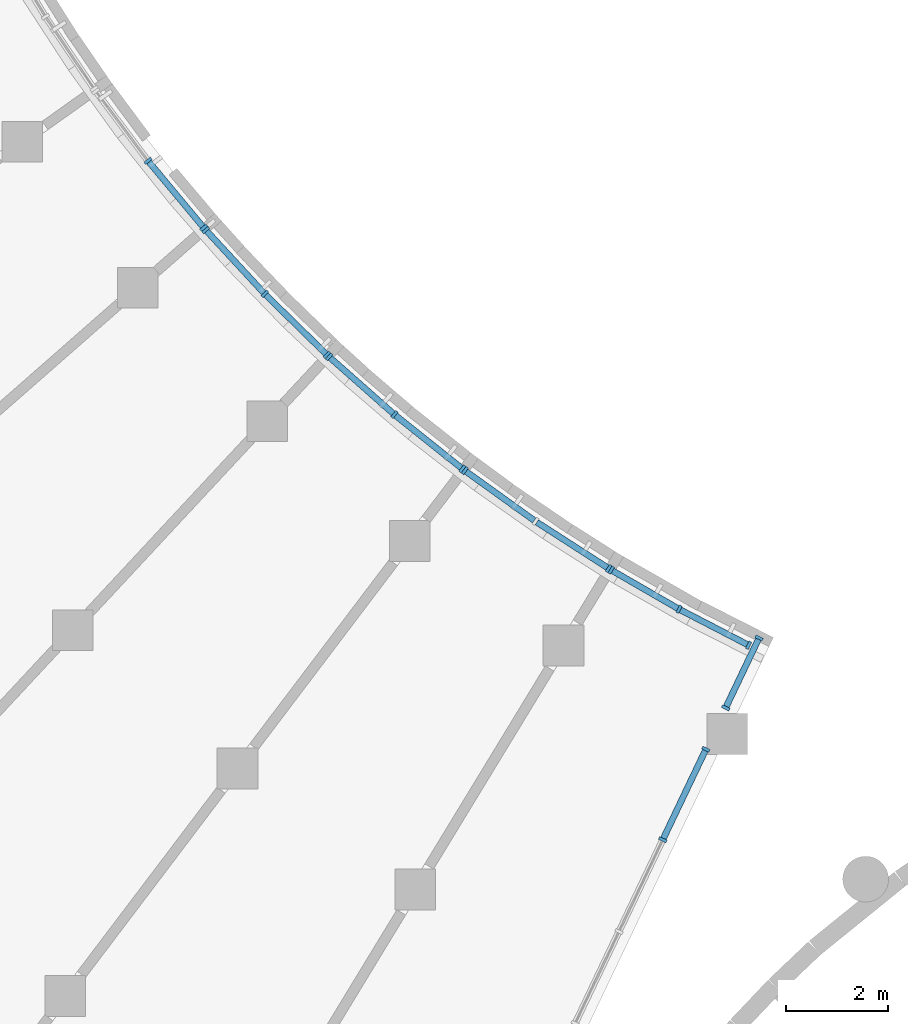
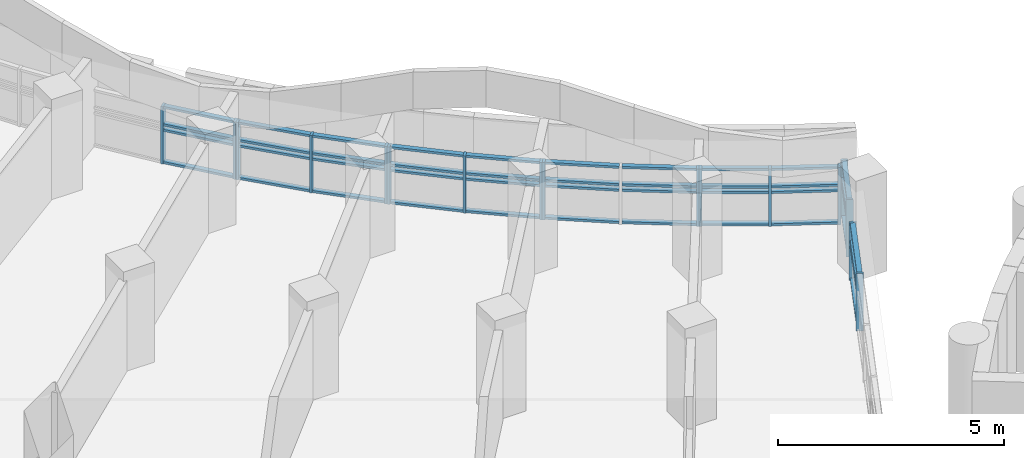
# One storey, part 16 of 89: 61 members, 7 elements without a shape of their own.
"""IFC4 building model written with IfcOpenShell, lengths in metres."""

from ifc_helpers import new_model, si_unit, direction, frame, origin, origin_2d, place, context, subcontext, project, spatial, rectangle, extrude, material, material_profile, profile_set, type_object, element, aggregate, save


model = new_model("IFC4")

# Units and contexts
model_context = context("Model", 3, precision=1e-05, world=origin(), true_north=direction((0.0, 1.0)))
body_context = subcontext(model_context, "Body", "Model", "MODEL_VIEW")
ifc_project = project(units=[si_unit("LENGTHUNIT", "METRE"), si_unit("AREAUNIT", "SQUARE_METRE"), si_unit("VOLUMEUNIT", "CUBIC_METRE"), si_unit("PLANEANGLEUNIT", "RADIAN"), si_unit("MASSUNIT", "GRAM", prefix="KILO")], contexts=[model_context])

# Site, building, storey
site_placement = place(None, origin())
site = spatial("IfcSite", under=ifc_project, at=site_placement, CompositionType="ELEMENT")
building_placement = place(site_placement, origin())
building = spatial("IfcBuilding", under=site, at=building_placement, Name="Bougainvillea Quay General Hospital", CompositionType="ELEMENT")
storey_placement = place(building_placement, frame((0.0, 0.0, 9.89990234375)))
storey = spatial("IfcBuildingStorey", under=building, at=storey_placement, Name="L01M", CompositionType="ELEMENT", Elevation=9.89990234375)

# Curtain wall, members
ifc_material_1 = material(Name="Aluminium curtain wall system, powder-coated glazed", Category="aluminium")
curtain_wall_type_1 = type_object("IfcCurtainWallType", Name="Unitised curtain wall CW-1997", PredefinedType="NOTDEFINED", material=ifc_material_1)
curtain_wall_1_placement = place(storey_placement, origin())
curtain_wall_1 = element("IfcCurtainWall", 1, at=curtain_wall_1_placement, inside=storey, type_object=curtain_wall_type_1, Name="CW-AE 02", PredefinedType="NOTDEFINED")
ifc_material_2 = material(Name="Aluminium mullion, powder-coated charcoal", Category="aluminium")
ifc_material_profile_1 = material_profile(ifc_material_2, rectangle(XDim=0.159912109375, YDim=0.06005859375, at=origin_2d()))
ifc_profile_set_1 = profile_set([ifc_material_profile_1], Name="Aluminium mullion, powder-coated charcoal")
member_type_1 = type_object("IfcMemberType", Name="Curtain wall mullion 160x60", PredefinedType="MULLION", material=ifc_profile_set_1)
member_1_placement = place(storey_placement, frame((92.436279296875, 91.433837890625, 0.0), z_axis=(0.0, 0.0, 1.0), x_axis=(-0.902578440897, 0.430525444112, 0.0)))
member_1 = element("IfcMember", 2, at=member_1_placement, type_object=member_type_1, Name="CW-AE mullion 10", PredefinedType="MULLION", context=body_context, shape_type="SweptSolid", body=[
    extrude(rectangle(XDim=0.159912109375, YDim=0.06005859375, at=origin_2d()), origin(), (0.0, 0.0, 1.0), 1.550048828125),
])
member_2_placement = place(storey_placement, frame((93.28271484375, 93.20849609375, 0.0), z_axis=(0.0, 0.0, 1.0), x_axis=(-0.902578440897, 0.430525444112, 0.0)))
member_2 = element("IfcMember", 3, at=member_2_placement, type_object=member_type_1, Name="CW-AE mullion 11", PredefinedType="MULLION", context=body_context, shape_type="SweptSolid", body=[
    extrude(rectangle(XDim=0.159912109375, YDim=0.06005859375, at=origin_2d()), origin(), (0.0, 0.0, 1.0), 1.550048828125),
])

curtain_wall_type_2 = type_object("IfcCurtainWallType", Name="Unitised curtain wall CW-1580", PredefinedType="NOTDEFINED", material=ifc_material_1)
curtain_wall_2_placement = place(storey_placement, origin())
curtain_wall_2 = element("IfcCurtainWall", 4, at=curtain_wall_2_placement, inside=storey, type_object=curtain_wall_type_2, Name="CW-AE 03", PredefinedType="NOTDEFINED")
member_3_placement = place(storey_placement, frame((93.670166015625, 94.020751953125, 0.0), z_axis=(0.0, 0.0, 1.0), x_axis=(-0.902578440897, 0.430525444112, 0.0)))
member_3 = element("IfcMember", 5, at=member_3_placement, type_object=member_type_1, Name="CW-AE mullion 1", PredefinedType="MULLION", context=body_context, shape_type="SweptSolid", body=[
    extrude(rectangle(XDim=0.159912109375, YDim=0.06005859375, at=origin_2d()), origin(), (0.0, 0.0, 1.0), 1.550048828125),
])
member_4_placement = place(storey_placement, frame((94.324462890625, 95.392578125, 0.0), z_axis=(0.0, 0.0, 1.0), x_axis=(-0.902578440897, 0.430525444112, 0.0)))
member_4 = element("IfcMember", 6, at=member_4_placement, type_object=member_type_1, Name="CW-AE mullion 2", PredefinedType="MULLION", context=body_context, shape_type="SweptSolid", body=[
    extrude(rectangle(XDim=0.159912109375, YDim=0.06005859375, at=origin_2d()), origin(), (0.0, 0.0, 1.0), 1.550048828125),
])

curtain_wall_type_3 = type_object("IfcCurtainWallType", Name="Unitised curtain wall CW-2100", PredefinedType="NOTDEFINED", material=ifc_material_1)
curtain_wall_3_placement = place(storey_placement, origin())
curtain_wall_3 = element("IfcCurtainWall", 7, at=curtain_wall_3_placement, inside=storey, type_object=curtain_wall_type_3, Name="CW-W01 a03b0", PredefinedType="NOTDEFINED")
member_5_placement = place(storey_placement, frame((94.120361328125, 95.2490234375, 0.0), z_axis=(0.0, 0.0, 1.0), x_axis=(-0.459924477228, -0.887958036873, 0.0)))
member_5 = element("IfcMember", 8, at=member_5_placement, type_object=member_type_1, Name="CW-W01 mullion 1", PredefinedType="MULLION", context=body_context, shape_type="SweptSolid", body=[
    extrude(rectangle(XDim=0.159912109375, YDim=0.06005859375, at=origin_2d()), origin(), (0.0, 0.0, 1.0), 1.550048828125),
])
member_6_placement = place(storey_placement, frame((92.756591796875, 95.95556640625, 0.0), z_axis=(0.0, 0.0, 1.0), x_axis=(-0.480103411147, -0.877211898349, 0.0)))
member_6 = element("IfcMember", 9, at=member_6_placement, type_object=member_type_1, Name="CW-W01 mullion 2", PredefinedType="MULLION", context=body_context, shape_type="SweptSolid", body=[
    extrude(rectangle(XDim=0.159912109375, YDim=0.06005859375, at=origin_2d()), origin(), (0.0, 0.0, 1.0), 1.550048828125),
])
member_7_placement = place(storey_placement, frame((91.42626953125, 96.7236328125, 0.0), z_axis=(0.0, 0.0, 1.0), x_axis=(-0.50003140996, -0.866007268476, 0.0)))
member_7 = element("IfcMember", 10, at=member_7_placement, type_object=member_type_1, Name="CW-W01 mullion 3", PredefinedType="MULLION", context=body_context, shape_type="SweptSolid", body=[
    extrude(rectangle(XDim=0.159912109375, YDim=0.06005859375, at=origin_2d()), origin(), (0.0, 0.0, 1.0), 1.550048828125),
])

curtain_wall_4_placement = place(storey_placement, origin())
curtain_wall_4 = element("IfcCurtainWall", 11, at=curtain_wall_4_placement, inside=storey, type_object=curtain_wall_type_3, Name="CW-W02 a03b1", PredefinedType="NOTDEFINED")
member_8_placement = place(storey_placement, frame((91.375244140625, 96.7548828125, 0.0), z_axis=(0.0, 0.0, 1.0), x_axis=(-0.541194636325, -0.840897357359, 0.0)))
member_8 = element("IfcMember", 12, at=member_8_placement, type_object=member_type_1, Name="CW-W02 mullion 1", PredefinedType="MULLION", context=body_context, shape_type="SweptSolid", body=[
    extrude(rectangle(XDim=0.159912109375, YDim=0.06005859375, at=origin_2d()), origin(), (0.0, 0.0, 1.0), 1.550048828125),
])
member_9_placement = place(storey_placement, frame((88.552978515625, 98.674072265625, 0.0), z_axis=(0.0, 0.0, 1.0), x_axis=(-0.583130104218, -0.812378779606, 0.0)))
member_9 = element("IfcMember", 13, at=member_9_placement, type_object=member_type_1, Name="CW-W02 mullion 3", PredefinedType="MULLION", context=body_context, shape_type="SweptSolid", body=[
    extrude(rectangle(XDim=0.159912109375, YDim=0.06005859375, at=origin_2d()), origin(), (0.0, 0.0, 1.0), 1.550048828125),
])

curtain_wall_5_placement = place(storey_placement, origin())
curtain_wall_5 = element("IfcCurtainWall", 14, at=curtain_wall_5_placement, inside=storey, type_object=curtain_wall_type_3, Name="CW-W03 a03b2", PredefinedType="NOTDEFINED")
member_10_placement = place(storey_placement, frame((88.50537109375, 98.710205078125, 0.0), z_axis=(0.0, 0.0, 1.0), x_axis=(-0.623565824026, -0.781770850765, 0.0)))
member_10 = element("IfcMember", 15, at=member_10_placement, type_object=member_type_1, Name="CW-W03 mullion 1", PredefinedType="MULLION", context=body_context, shape_type="SweptSolid", body=[
    extrude(rectangle(XDim=0.159912109375, YDim=0.06005859375, at=origin_2d()), origin(), (0.0, 0.0, 1.0), 1.550048828125),
])
member_11_placement = place(storey_placement, frame((87.1708984375, 99.774658203125, 0.0), z_axis=(0.0, 0.0, 1.0), x_axis=(-0.643188621489, -0.765707775321, 0.0)))
member_11 = element("IfcMember", 16, at=member_11_placement, type_object=member_type_1, Name="CW-W03 mullion 2", PredefinedType="MULLION", context=body_context, shape_type="SweptSolid", body=[
    extrude(rectangle(XDim=0.159912109375, YDim=0.06005859375, at=origin_2d()), origin(), (0.0, 0.0, 1.0), 1.550048828125),
])
member_12_placement = place(storey_placement, frame((85.89208984375, 100.9052734375, 0.0), z_axis=(0.0, 0.0, 1.0), x_axis=(-0.662397799417, -0.749152291145, 0.0)))
member_12 = element("IfcMember", 17, at=member_12_placement, type_object=member_type_1, Name="CW-W03 mullion 3", PredefinedType="MULLION", context=body_context, shape_type="SweptSolid", body=[
    extrude(rectangle(XDim=0.159912109375, YDim=0.06005859375, at=origin_2d()), origin(), (0.0, 0.0, 1.0), 1.550048828125),
])

curtain_wall_6_placement = place(storey_placement, origin())
curtain_wall_6 = element("IfcCurtainWall", 18, at=curtain_wall_6_placement, inside=storey, type_object=curtain_wall_type_3, Name="CW-W04 a03b3", PredefinedType="NOTDEFINED")
member_13_placement = place(storey_placement, frame((85.84814453125, 100.946044921875, 0.0), z_axis=(0.0, 0.0, 1.0), x_axis=(-0.699526158712, -0.714606992183, 0.0)))
member_13 = element("IfcMember", 19, at=member_13_placement, type_object=member_type_1, Name="CW-W04 mullion 1", PredefinedType="MULLION", context=body_context, shape_type="SweptSolid", body=[
    extrude(rectangle(XDim=0.159912109375, YDim=0.06005859375, at=origin_2d()), origin(), (0.0, 0.0, 1.0), 1.550048828125),
])
member_14_placement = place(storey_placement, frame((84.62841796875, 102.14013671875, 0.0), z_axis=(0.0, 0.0, 1.0), x_axis=(-0.717421463702, -0.69663939267, 0.0)))
member_14 = element("IfcMember", 20, at=member_14_placement, type_object=member_type_1, Name="CW-W04 mullion 2", PredefinedType="MULLION", context=body_context, shape_type="SweptSolid", body=[
    extrude(rectangle(XDim=0.159912109375, YDim=0.06005859375, at=origin_2d()), origin(), (0.0, 0.0, 1.0), 1.550048828125),
])
member_15_placement = place(storey_placement, frame((83.470703125, 103.39453125, 0.0), z_axis=(0.0, 0.0, 1.0), x_axis=(-0.734855411756, -0.678223800683, 0.0)))
member_15 = element("IfcMember", 21, at=member_15_placement, type_object=member_type_1, Name="CW-W04 mullion 3", PredefinedType="MULLION", context=body_context, shape_type="SweptSolid", body=[
    extrude(rectangle(XDim=0.159912109375, YDim=0.06005859375, at=origin_2d()), origin(), (0.0, 0.0, 1.0), 1.550048828125),
])

curtain_wall_7_placement = place(storey_placement, origin())
curtain_wall_7 = element("IfcCurtainWall", 22, at=curtain_wall_7_placement, inside=storey, type_object=curtain_wall_type_3, Name="CW-W05 a03b4", PredefinedType="NOTDEFINED")
member_16_placement = place(storey_placement, frame((83.43115234375, 103.439697265625, 0.0), z_axis=(0.0, 0.0, 1.0), x_axis=(-0.768294695498, -0.64009629031, 0.0)))
member_16 = element("IfcMember", 23, at=member_16_placement, type_object=member_type_1, Name="CW-W05 mullion 1", PredefinedType="MULLION", context=body_context, shape_type="SweptSolid", body=[
    extrude(rectangle(XDim=0.159912109375, YDim=0.06005859375, at=origin_2d()), origin(), (0.0, 0.0, 1.0), 1.550048828125),
])
member_17_placement = place(storey_placement, frame((82.338623046875, 104.7509765625, 0.0), z_axis=(0.0, 0.0, 1.0), x_axis=(-0.784278527167, -0.620408890833, 0.0)))
member_17 = element("IfcMember", 24, at=member_17_placement, type_object=member_type_1, Name="CW-W05 mullion 2", PredefinedType="MULLION", context=body_context, shape_type="SweptSolid", body=[
    extrude(rectangle(XDim=0.159912109375, YDim=0.06005859375, at=origin_2d()), origin(), (0.0, 0.0, 1.0), 1.550048828125),
])

# Member
ifc_material_3 = material(Name="Aluminium transom, powder-coated charcoal", Category="aluminium")
ifc_material_profile_2 = material_profile(ifc_material_3, rectangle(XDim=0.1201171875, YDim=0.06005859375, at=origin_2d()))
ifc_profile_set_2 = profile_set([ifc_material_profile_2], Name="Aluminium transom, powder-coated charcoal")
member_type_2 = type_object("IfcMemberType", Name="Curtain wall transom 120x60", PredefinedType="USERDEFINED", material=ifc_profile_set_2)
member_18_placement = place(storey_placement, frame((92.44921875, 91.4609375, 0.030029296875), z_axis=(0.430485367667, 0.90259755607, 0.0), x_axis=(-0.90259755607, 0.430485367667, 0.0)))
member_18 = element("IfcMember", 25, at=member_18_placement, type_object=member_type_2, Name="CW-AE transom 10.1", ObjectType="TRANSOM", PredefinedType="USERDEFINED", context=body_context, shape_type="SweptSolid", body=[
    extrude(rectangle(XDim=0.1201171875, YDim=0.06005859375, at=origin_2d()), origin(), (0.0, 0.0, 1.0), 1.906005859375),
])

member_19_placement = place(storey_placement, frame((92.44921875, 91.4609375, 0.900146484375), z_axis=(0.430485367667, 0.90259755607, 0.0), x_axis=(-0.90259755607, 0.430485367667, 0.0)))
member_19 = element("IfcMember", 26, at=member_19_placement, type_object=member_type_2, Name="CW-AE transom 10.2", ObjectType="TRANSOM", PredefinedType="USERDEFINED", context=body_context, shape_type="SweptSolid", body=[
    extrude(rectangle(XDim=0.1201171875, YDim=0.06005859375, at=origin_2d()), origin(), (0.0, 0.0, 1.0), 1.906005859375),
])

member_20_placement = place(storey_placement, frame((92.44921875, 91.4609375, 1.050048828125), z_axis=(0.430485367667, 0.90259755607, 0.0), x_axis=(-0.90259755607, 0.430485367667, 0.0)))
member_20 = element("IfcMember", 27, at=member_20_placement, type_object=member_type_2, Name="CW-AE transom 10.3", ObjectType="TRANSOM", PredefinedType="USERDEFINED", context=body_context, shape_type="SweptSolid", body=[
    extrude(rectangle(XDim=0.1201171875, YDim=0.06005859375, at=origin_2d()), origin(), (0.0, 0.0, 1.0), 1.906005859375),
])

member_21_placement = place(storey_placement, frame((92.44921875, 91.4609375, 1.52001953125), z_axis=(0.430485367667, 0.90259755607, 0.0), x_axis=(-0.90259755607, 0.430485367667, 0.0)))
member_21 = element("IfcMember", 28, at=member_21_placement, type_object=member_type_2, Name="CW-AE transom 10.4", ObjectType="TRANSOM", PredefinedType="USERDEFINED", context=body_context, shape_type="SweptSolid", body=[
    extrude(rectangle(XDim=0.1201171875, YDim=0.06005859375, at=origin_2d()), origin(), (0.0, 0.0, 1.0), 1.906005859375),
])

aggregate(curtain_wall_1, [member_1, member_2, member_18, member_19, member_20, member_21])

member_22_placement = place(storey_placement, frame((93.68310546875, 94.0478515625, 0.030029296875), z_axis=(0.430478813346, 0.902600682063, 0.0), x_axis=(-0.902600682063, 0.430478813346, 0.0)))
member_22 = element("IfcMember", 29, at=member_22_placement, type_object=member_type_2, Name="CW-AE transom 1.1", ObjectType="TRANSOM", PredefinedType="USERDEFINED", context=body_context, shape_type="SweptSolid", body=[
    extrude(rectangle(XDim=0.1201171875, YDim=0.06005859375, at=origin_2d()), origin(), (0.0, 0.0, 1.0), 1.459716796875),
])

member_23_placement = place(storey_placement, frame((93.68310546875, 94.0478515625, 0.900146484375), z_axis=(0.430478813346, 0.902600682063, 0.0), x_axis=(-0.902600682063, 0.430478813346, 0.0)))
member_23 = element("IfcMember", 30, at=member_23_placement, type_object=member_type_2, Name="CW-AE transom 1.2", ObjectType="TRANSOM", PredefinedType="USERDEFINED", context=body_context, shape_type="SweptSolid", body=[
    extrude(rectangle(XDim=0.1201171875, YDim=0.06005859375, at=origin_2d()), origin(), (0.0, 0.0, 1.0), 1.459716796875),
])

member_24_placement = place(storey_placement, frame((93.68310546875, 94.0478515625, 1.050048828125), z_axis=(0.430478813346, 0.902600682063, 0.0), x_axis=(-0.902600682063, 0.430478813346, 0.0)))
member_24 = element("IfcMember", 31, at=member_24_placement, type_object=member_type_2, Name="CW-AE transom 1.3", ObjectType="TRANSOM", PredefinedType="USERDEFINED", context=body_context, shape_type="SweptSolid", body=[
    extrude(rectangle(XDim=0.1201171875, YDim=0.06005859375, at=origin_2d()), origin(), (0.0, 0.0, 1.0), 1.459716796875),
])

member_25_placement = place(storey_placement, frame((93.68310546875, 94.0478515625, 1.52001953125), z_axis=(0.430478813346, 0.902600682063, 0.0), x_axis=(-0.902600682063, 0.430478813346, 0.0)))
member_25 = element("IfcMember", 32, at=member_25_placement, type_object=member_type_2, Name="CW-AE transom 1.4", ObjectType="TRANSOM", PredefinedType="USERDEFINED", context=body_context, shape_type="SweptSolid", body=[
    extrude(rectangle(XDim=0.1201171875, YDim=0.06005859375, at=origin_2d()), origin(), (0.0, 0.0, 1.0), 1.459716796875),
])

aggregate(curtain_wall_2, [member_3, member_4, member_22, member_23, member_24, member_25])

member_26_placement = place(storey_placement, frame((94.09375, 95.262939453125, 0.030029296875), z_axis=(-0.887984759124, 0.459872881961, 0.0), x_axis=(-0.459872881961, -0.887984759124, 0.0)))
member_26 = element("IfcMember", 33, at=member_26_placement, type_object=member_type_2, Name="CW-W01 transom 1.1", ObjectType="TRANSOM", PredefinedType="USERDEFINED", context=body_context, shape_type="SweptSolid", body=[
    extrude(rectangle(XDim=0.1201171875, YDim=0.06005859375, at=origin_2d()), origin(), (0.0, 0.0, 1.0), 1.475830078125),
])

member_27_placement = place(storey_placement, frame((94.09375, 95.262939453125, 0.900146484375), z_axis=(-0.887984759124, 0.459872881961, 0.0), x_axis=(-0.459872881961, -0.887984759124, 0.0)))
member_27 = element("IfcMember", 34, at=member_27_placement, type_object=member_type_2, Name="CW-W01 transom 1.2", ObjectType="TRANSOM", PredefinedType="USERDEFINED", context=body_context, shape_type="SweptSolid", body=[
    extrude(rectangle(XDim=0.1201171875, YDim=0.06005859375, at=origin_2d()), origin(), (0.0, 0.0, 1.0), 1.475830078125),
])

member_28_placement = place(storey_placement, frame((94.09375, 95.262939453125, 1.050048828125), z_axis=(-0.887984759124, 0.459872881961, 0.0), x_axis=(-0.459872881961, -0.887984759124, 0.0)))
member_28 = element("IfcMember", 35, at=member_28_placement, type_object=member_type_2, Name="CW-W01 transom 1.3", ObjectType="TRANSOM", PredefinedType="USERDEFINED", context=body_context, shape_type="SweptSolid", body=[
    extrude(rectangle(XDim=0.1201171875, YDim=0.06005859375, at=origin_2d()), origin(), (0.0, 0.0, 1.0), 1.475830078125),
])

member_29_placement = place(storey_placement, frame((94.09375, 95.262939453125, 1.52001953125), z_axis=(-0.887984759124, 0.459872881961, 0.0), x_axis=(-0.459872881961, -0.887984759124, 0.0)))
member_29 = element("IfcMember", 36, at=member_29_placement, type_object=member_type_2, Name="CW-W01 transom 1.4", ObjectType="TRANSOM", PredefinedType="USERDEFINED", context=body_context, shape_type="SweptSolid", body=[
    extrude(rectangle(XDim=0.1201171875, YDim=0.06005859375, at=origin_2d()), origin(), (0.0, 0.0, 1.0), 1.475830078125),
])

member_30_placement = place(storey_placement, frame((92.73046875, 95.970458984375, 0.030029296875), z_axis=(-0.865984475827, 0.500070882603, 0.0), x_axis=(-0.500070882603, -0.865984475827, 0.0)))
member_30 = element("IfcMember", 37, at=member_30_placement, type_object=member_type_2, Name="CW-W01 transom 2.1", ObjectType="TRANSOM", PredefinedType="USERDEFINED", context=body_context, shape_type="SweptSolid", body=[
    extrude(rectangle(XDim=0.1201171875, YDim=0.06005859375, at=origin_2d()), origin(), (0.0, 0.0, 1.0), 1.475830078125),
])

member_31_placement = place(storey_placement, frame((92.73046875, 95.970458984375, 0.900146484375), z_axis=(-0.865984475827, 0.500070882603, 0.0), x_axis=(-0.500070882603, -0.865984475827, 0.0)))
member_31 = element("IfcMember", 38, at=member_31_placement, type_object=member_type_2, Name="CW-W01 transom 2.2", ObjectType="TRANSOM", PredefinedType="USERDEFINED", context=body_context, shape_type="SweptSolid", body=[
    extrude(rectangle(XDim=0.1201171875, YDim=0.06005859375, at=origin_2d()), origin(), (0.0, 0.0, 1.0), 1.475830078125),
])

member_32_placement = place(storey_placement, frame((92.73046875, 95.970458984375, 1.050048828125), z_axis=(-0.865984475827, 0.500070882603, 0.0), x_axis=(-0.500070882603, -0.865984475827, 0.0)))
member_32 = element("IfcMember", 39, at=member_32_placement, type_object=member_type_2, Name="CW-W01 transom 2.3", ObjectType="TRANSOM", PredefinedType="USERDEFINED", context=body_context, shape_type="SweptSolid", body=[
    extrude(rectangle(XDim=0.1201171875, YDim=0.06005859375, at=origin_2d()), origin(), (0.0, 0.0, 1.0), 1.475830078125),
])

member_33_placement = place(storey_placement, frame((92.73046875, 95.970458984375, 1.52001953125), z_axis=(-0.865984475827, 0.500070882603, 0.0), x_axis=(-0.500070882603, -0.865984475827, 0.0)))
member_33 = element("IfcMember", 40, at=member_33_placement, type_object=member_type_2, Name="CW-W01 transom 2.4", ObjectType="TRANSOM", PredefinedType="USERDEFINED", context=body_context, shape_type="SweptSolid", body=[
    extrude(rectangle(XDim=0.1201171875, YDim=0.06005859375, at=origin_2d()), origin(), (0.0, 0.0, 1.0), 1.475830078125),
])

aggregate(curtain_wall_3, [member_5, member_6, member_7, member_26, member_27, member_28, member_29, member_30, member_31, member_32, member_33])

member_34_placement = place(storey_placement, frame((91.349853515625, 96.77099609375, 0.030029296875), z_axis=(-0.840860427207, 0.541252013352, 0.0), x_axis=(-0.541252013352, -0.840860427207, 0.0)))
member_34 = element("IfcMember", 41, at=member_34_placement, type_object=member_type_2, Name="CW-W02 transom 1.1", ObjectType="TRANSOM", PredefinedType="USERDEFINED", context=body_context, shape_type="SweptSolid", body=[
    extrude(rectangle(XDim=0.1201171875, YDim=0.06005859375, at=origin_2d()), origin(), (0.0, 0.0, 1.0), 1.646728515625),
])

member_35_placement = place(storey_placement, frame((91.349853515625, 96.77099609375, 0.900146484375), z_axis=(-0.840860427207, 0.541252013352, 0.0), x_axis=(-0.541252013352, -0.840860427207, 0.0)))
member_35 = element("IfcMember", 42, at=member_35_placement, type_object=member_type_2, Name="CW-W02 transom 1.2", ObjectType="TRANSOM", PredefinedType="USERDEFINED", context=body_context, shape_type="SweptSolid", body=[
    extrude(rectangle(XDim=0.1201171875, YDim=0.06005859375, at=origin_2d()), origin(), (0.0, 0.0, 1.0), 1.646728515625),
])

member_36_placement = place(storey_placement, frame((91.349853515625, 96.77099609375, 1.050048828125), z_axis=(-0.840860427207, 0.541252013352, 0.0), x_axis=(-0.541252013352, -0.840860427207, 0.0)))
member_36 = element("IfcMember", 43, at=member_36_placement, type_object=member_type_2, Name="CW-W02 transom 1.3", ObjectType="TRANSOM", PredefinedType="USERDEFINED", context=body_context, shape_type="SweptSolid", body=[
    extrude(rectangle(XDim=0.1201171875, YDim=0.06005859375, at=origin_2d()), origin(), (0.0, 0.0, 1.0), 1.646728515625),
])

member_37_placement = place(storey_placement, frame((91.349853515625, 96.77099609375, 1.52001953125), z_axis=(-0.840860427207, 0.541252013352, 0.0), x_axis=(-0.541252013352, -0.840860427207, 0.0)))
member_37 = element("IfcMember", 44, at=member_37_placement, type_object=member_type_2, Name="CW-W02 transom 1.4", ObjectType="TRANSOM", PredefinedType="USERDEFINED", context=body_context, shape_type="SweptSolid", body=[
    extrude(rectangle(XDim=0.1201171875, YDim=0.06005859375, at=origin_2d()), origin(), (0.0, 0.0, 1.0), 1.646728515625),
])

member_38_placement = place(storey_placement, frame((89.91552734375, 97.696044921875, 0.030029296875), z_axis=(-0.812399348414, 0.583101448032, 0.0), x_axis=(-0.583101448032, -0.812399348414, 0.0)))
member_38 = element("IfcMember", 45, at=member_38_placement, type_object=member_type_2, Name="CW-W02 transom 2.1", ObjectType="TRANSOM", PredefinedType="USERDEFINED", context=body_context, shape_type="SweptSolid", body=[
    extrude(rectangle(XDim=0.1201171875, YDim=0.06005859375, at=origin_2d()), origin(), (0.0, 0.0, 1.0), 1.647216796875),
])

member_39_placement = place(storey_placement, frame((89.91552734375, 97.696044921875, 0.900146484375), z_axis=(-0.812399348414, 0.583101448032, 0.0), x_axis=(-0.583101448032, -0.812399348414, 0.0)))
member_39 = element("IfcMember", 46, at=member_39_placement, type_object=member_type_2, Name="CW-W02 transom 2.2", ObjectType="TRANSOM", PredefinedType="USERDEFINED", context=body_context, shape_type="SweptSolid", body=[
    extrude(rectangle(XDim=0.1201171875, YDim=0.06005859375, at=origin_2d()), origin(), (0.0, 0.0, 1.0), 1.647216796875),
])

member_40_placement = place(storey_placement, frame((89.91552734375, 97.696044921875, 1.050048828125), z_axis=(-0.812399348414, 0.583101448032, 0.0), x_axis=(-0.583101448032, -0.812399348414, 0.0)))
member_40 = element("IfcMember", 47, at=member_40_placement, type_object=member_type_2, Name="CW-W02 transom 2.3", ObjectType="TRANSOM", PredefinedType="USERDEFINED", context=body_context, shape_type="SweptSolid", body=[
    extrude(rectangle(XDim=0.1201171875, YDim=0.06005859375, at=origin_2d()), origin(), (0.0, 0.0, 1.0), 1.647216796875),
])

member_41_placement = place(storey_placement, frame((89.91552734375, 97.696044921875, 1.52001953125), z_axis=(-0.812399348414, 0.583101448032, 0.0), x_axis=(-0.583101448032, -0.812399348414, 0.0)))
member_41 = element("IfcMember", 48, at=member_41_placement, type_object=member_type_2, Name="CW-W02 transom 2.4", ObjectType="TRANSOM", PredefinedType="USERDEFINED", context=body_context, shape_type="SweptSolid", body=[
    extrude(rectangle(XDim=0.1201171875, YDim=0.06005859375, at=origin_2d()), origin(), (0.0, 0.0, 1.0), 1.647216796875),
])

aggregate(curtain_wall_4, [member_8, member_9, member_34, member_35, member_36, member_37, member_38, member_39, member_40, member_41])

member_42_placement = place(storey_placement, frame((88.48193359375, 98.728759765625, 0.030029296875), z_axis=(-0.781750163409, 0.623591759094, 0.0), x_axis=(-0.623591759094, -0.781750163409, 0.0)))
member_42 = element("IfcMember", 49, at=member_42_placement, type_object=member_type_2, Name="CW-W03 transom 1.1", ObjectType="TRANSOM", PredefinedType="USERDEFINED", context=body_context, shape_type="SweptSolid", body=[
    extrude(rectangle(XDim=0.1201171875, YDim=0.06005859375, at=origin_2d()), origin(), (0.0, 0.0, 1.0), 1.64697265625),
])

member_43_placement = place(storey_placement, frame((88.48193359375, 98.728759765625, 0.900146484375), z_axis=(-0.781750163409, 0.623591759094, 0.0), x_axis=(-0.623591759094, -0.781750163409, 0.0)))
member_43 = element("IfcMember", 50, at=member_43_placement, type_object=member_type_2, Name="CW-W03 transom 1.2", ObjectType="TRANSOM", PredefinedType="USERDEFINED", context=body_context, shape_type="SweptSolid", body=[
    extrude(rectangle(XDim=0.1201171875, YDim=0.06005859375, at=origin_2d()), origin(), (0.0, 0.0, 1.0), 1.64697265625),
])

member_44_placement = place(storey_placement, frame((88.48193359375, 98.728759765625, 1.050048828125), z_axis=(-0.781750163409, 0.623591759094, 0.0), x_axis=(-0.623591759094, -0.781750163409, 0.0)))
member_44 = element("IfcMember", 51, at=member_44_placement, type_object=member_type_2, Name="CW-W03 transom 1.3", ObjectType="TRANSOM", PredefinedType="USERDEFINED", context=body_context, shape_type="SweptSolid", body=[
    extrude(rectangle(XDim=0.1201171875, YDim=0.06005859375, at=origin_2d()), origin(), (0.0, 0.0, 1.0), 1.64697265625),
])

member_45_placement = place(storey_placement, frame((88.48193359375, 98.728759765625, 1.52001953125), z_axis=(-0.781750163409, 0.623591759094, 0.0), x_axis=(-0.623591759094, -0.781750163409, 0.0)))
member_45 = element("IfcMember", 52, at=member_45_placement, type_object=member_type_2, Name="CW-W03 transom 1.4", ObjectType="TRANSOM", PredefinedType="USERDEFINED", context=body_context, shape_type="SweptSolid", body=[
    extrude(rectangle(XDim=0.1201171875, YDim=0.06005859375, at=origin_2d()), origin(), (0.0, 0.0, 1.0), 1.64697265625),
])

member_46_placement = place(storey_placement, frame((87.1484375, 99.79443359375, 0.030029296875), z_axis=(-0.749205906667, 0.662337156903, 0.0), x_axis=(-0.662337156903, -0.749205906667, 0.0)))
member_46 = element("IfcMember", 53, at=member_46_placement, type_object=member_type_2, Name="CW-W03 transom 2.1", ObjectType="TRANSOM", PredefinedType="USERDEFINED", context=body_context, shape_type="SweptSolid", body=[
    extrude(rectangle(XDim=0.1201171875, YDim=0.06005859375, at=origin_2d()), origin(), (0.0, 0.0, 1.0), 1.64697265625),
])

member_47_placement = place(storey_placement, frame((87.1484375, 99.79443359375, 0.900146484375), z_axis=(-0.749205906667, 0.662337156903, 0.0), x_axis=(-0.662337156903, -0.749205906667, 0.0)))
member_47 = element("IfcMember", 54, at=member_47_placement, type_object=member_type_2, Name="CW-W03 transom 2.2", ObjectType="TRANSOM", PredefinedType="USERDEFINED", context=body_context, shape_type="SweptSolid", body=[
    extrude(rectangle(XDim=0.1201171875, YDim=0.06005859375, at=origin_2d()), origin(), (0.0, 0.0, 1.0), 1.64697265625),
])

member_48_placement = place(storey_placement, frame((87.1484375, 99.79443359375, 1.050048828125), z_axis=(-0.749205906667, 0.662337156903, 0.0), x_axis=(-0.662337156903, -0.749205906667, 0.0)))
member_48 = element("IfcMember", 55, at=member_48_placement, type_object=member_type_2, Name="CW-W03 transom 2.3", ObjectType="TRANSOM", PredefinedType="USERDEFINED", context=body_context, shape_type="SweptSolid", body=[
    extrude(rectangle(XDim=0.1201171875, YDim=0.06005859375, at=origin_2d()), origin(), (0.0, 0.0, 1.0), 1.64697265625),
])

member_49_placement = place(storey_placement, frame((87.1484375, 99.79443359375, 1.52001953125), z_axis=(-0.749205906667, 0.662337156903, 0.0), x_axis=(-0.662337156903, -0.749205906667, 0.0)))
member_49 = element("IfcMember", 56, at=member_49_placement, type_object=member_type_2, Name="CW-W03 transom 2.4", ObjectType="TRANSOM", PredefinedType="USERDEFINED", context=body_context, shape_type="SweptSolid", body=[
    extrude(rectangle(XDim=0.1201171875, YDim=0.06005859375, at=origin_2d()), origin(), (0.0, 0.0, 1.0), 1.64697265625),
])

aggregate(curtain_wall_5, [member_10, member_11, member_12, member_42, member_43, member_44, member_45, member_46, member_47, member_48, member_49])

member_50_placement = place(storey_placement, frame((85.82666015625, 100.967041015625, 0.030029296875), z_axis=(-0.714553654445, 0.699580642184, 0.0), x_axis=(-0.699580642184, -0.714553654445, 0.0)))
member_50 = element("IfcMember", 57, at=member_50_placement, type_object=member_type_2, Name="CW-W04 transom 1.1", ObjectType="TRANSOM", PredefinedType="USERDEFINED", context=body_context, shape_type="SweptSolid", body=[
    extrude(rectangle(XDim=0.1201171875, YDim=0.06005859375, at=origin_2d()), origin(), (0.0, 0.0, 1.0), 1.646728515625),
])

member_51_placement = place(storey_placement, frame((85.82666015625, 100.967041015625, 0.900146484375), z_axis=(-0.714553654445, 0.699580642184, 0.0), x_axis=(-0.699580642184, -0.714553654445, 0.0)))
member_51 = element("IfcMember", 58, at=member_51_placement, type_object=member_type_2, Name="CW-W04 transom 1.2", ObjectType="TRANSOM", PredefinedType="USERDEFINED", context=body_context, shape_type="SweptSolid", body=[
    extrude(rectangle(XDim=0.1201171875, YDim=0.06005859375, at=origin_2d()), origin(), (0.0, 0.0, 1.0), 1.646728515625),
])

member_52_placement = place(storey_placement, frame((85.82666015625, 100.967041015625, 1.050048828125), z_axis=(-0.714553654445, 0.699580642184, 0.0), x_axis=(-0.699580642184, -0.714553654445, 0.0)))
member_52 = element("IfcMember", 59, at=member_52_placement, type_object=member_type_2, Name="CW-W04 transom 1.3", ObjectType="TRANSOM", PredefinedType="USERDEFINED", context=body_context, shape_type="SweptSolid", body=[
    extrude(rectangle(XDim=0.1201171875, YDim=0.06005859375, at=origin_2d()), origin(), (0.0, 0.0, 1.0), 1.646728515625),
])

member_53_placement = place(storey_placement, frame((85.82666015625, 100.967041015625, 1.52001953125), z_axis=(-0.714553654445, 0.699580642184, 0.0), x_axis=(-0.699580642184, -0.714553654445, 0.0)))
member_53 = element("IfcMember", 60, at=member_53_placement, type_object=member_type_2, Name="CW-W04 transom 1.4", ObjectType="TRANSOM", PredefinedType="USERDEFINED", context=body_context, shape_type="SweptSolid", body=[
    extrude(rectangle(XDim=0.1201171875, YDim=0.06005859375, at=origin_2d()), origin(), (0.0, 0.0, 1.0), 1.646728515625),
])

member_54_placement = place(storey_placement, frame((84.60791015625, 102.162109375, 0.030029296875), z_axis=(-0.678150805641, 0.734922774725, 0.0), x_axis=(-0.734922774725, -0.678150805641, 0.0)))
member_54 = element("IfcMember", 61, at=member_54_placement, type_object=member_type_2, Name="CW-W04 transom 2.1", ObjectType="TRANSOM", PredefinedType="USERDEFINED", context=body_context, shape_type="SweptSolid", body=[
    extrude(rectangle(XDim=0.1201171875, YDim=0.06005859375, at=origin_2d()), origin(), (0.0, 0.0, 1.0), 1.64697265625),
])

member_55_placement = place(storey_placement, frame((84.60791015625, 102.162109375, 0.900146484375), z_axis=(-0.678150805641, 0.734922774725, 0.0), x_axis=(-0.734922774725, -0.678150805641, 0.0)))
member_55 = element("IfcMember", 62, at=member_55_placement, type_object=member_type_2, Name="CW-W04 transom 2.2", ObjectType="TRANSOM", PredefinedType="USERDEFINED", context=body_context, shape_type="SweptSolid", body=[
    extrude(rectangle(XDim=0.1201171875, YDim=0.06005859375, at=origin_2d()), origin(), (0.0, 0.0, 1.0), 1.64697265625),
])

member_56_placement = place(storey_placement, frame((84.60791015625, 102.162109375, 1.050048828125), z_axis=(-0.678150805641, 0.734922774725, 0.0), x_axis=(-0.734922774725, -0.678150805641, 0.0)))
member_56 = element("IfcMember", 63, at=member_56_placement, type_object=member_type_2, Name="CW-W04 transom 2.3", ObjectType="TRANSOM", PredefinedType="USERDEFINED", context=body_context, shape_type="SweptSolid", body=[
    extrude(rectangle(XDim=0.1201171875, YDim=0.06005859375, at=origin_2d()), origin(), (0.0, 0.0, 1.0), 1.64697265625),
])

member_57_placement = place(storey_placement, frame((84.60791015625, 102.162109375, 1.52001953125), z_axis=(-0.678150805641, 0.734922774725, 0.0), x_axis=(-0.734922774725, -0.678150805641, 0.0)))
member_57 = element("IfcMember", 64, at=member_57_placement, type_object=member_type_2, Name="CW-W04 transom 2.4", ObjectType="TRANSOM", PredefinedType="USERDEFINED", context=body_context, shape_type="SweptSolid", body=[
    extrude(rectangle(XDim=0.1201171875, YDim=0.06005859375, at=origin_2d()), origin(), (0.0, 0.0, 1.0), 1.64697265625),
])

aggregate(curtain_wall_6, [member_13, member_14, member_15, member_50, member_51, member_52, member_53, member_54, member_55, member_56, member_57])

member_58_placement = place(storey_placement, frame((83.411865234375, 103.462646484375, 0.030029296875), z_axis=(-0.640082329998, 0.768306326165, 0.0), x_axis=(-0.768306326165, -0.640082329998, 0.0)))
member_58 = element("IfcMember", 65, at=member_58_placement, type_object=member_type_2, Name="CW-W05 transom 1.1", ObjectType="TRANSOM", PredefinedType="USERDEFINED", context=body_context, shape_type="SweptSolid", body=[
    extrude(rectangle(XDim=0.1201171875, YDim=0.06005859375, at=origin_2d()), origin(), (0.0, 0.0, 1.0), 1.64697265625),
])

member_59_placement = place(storey_placement, frame((83.411865234375, 103.462646484375, 0.900146484375), z_axis=(-0.640082329998, 0.768306326165, 0.0), x_axis=(-0.768306326165, -0.640082329998, 0.0)))
member_59 = element("IfcMember", 66, at=member_59_placement, type_object=member_type_2, Name="CW-W05 transom 1.2", ObjectType="TRANSOM", PredefinedType="USERDEFINED", context=body_context, shape_type="SweptSolid", body=[
    extrude(rectangle(XDim=0.1201171875, YDim=0.06005859375, at=origin_2d()), origin(), (0.0, 0.0, 1.0), 1.64697265625),
])

member_60_placement = place(storey_placement, frame((83.411865234375, 103.462646484375, 1.050048828125), z_axis=(-0.640082329998, 0.768306326165, 0.0), x_axis=(-0.768306326165, -0.640082329998, 0.0)))
member_60 = element("IfcMember", 67, at=member_60_placement, type_object=member_type_2, Name="CW-W05 transom 1.3", ObjectType="TRANSOM", PredefinedType="USERDEFINED", context=body_context, shape_type="SweptSolid", body=[
    extrude(rectangle(XDim=0.1201171875, YDim=0.06005859375, at=origin_2d()), origin(), (0.0, 0.0, 1.0), 1.64697265625),
])

member_61_placement = place(storey_placement, frame((83.411865234375, 103.462646484375, 1.52001953125), z_axis=(-0.640082329998, 0.768306326165, 0.0), x_axis=(-0.768306326165, -0.640082329998, 0.0)))
member_61 = element("IfcMember", 68, at=member_61_placement, type_object=member_type_2, Name="CW-W05 transom 1.4", ObjectType="TRANSOM", PredefinedType="USERDEFINED", context=body_context, shape_type="SweptSolid", body=[
    extrude(rectangle(XDim=0.1201171875, YDim=0.06005859375, at=origin_2d()), origin(), (0.0, 0.0, 1.0), 1.64697265625),
])

aggregate(curtain_wall_7, [member_16, member_17, member_58, member_59, member_60, member_61])

save(model, "model.ifc")
